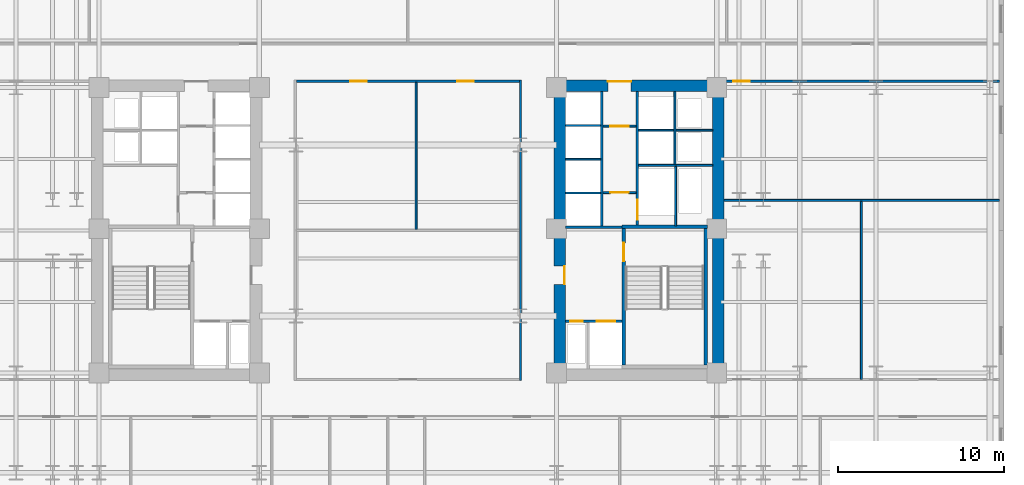
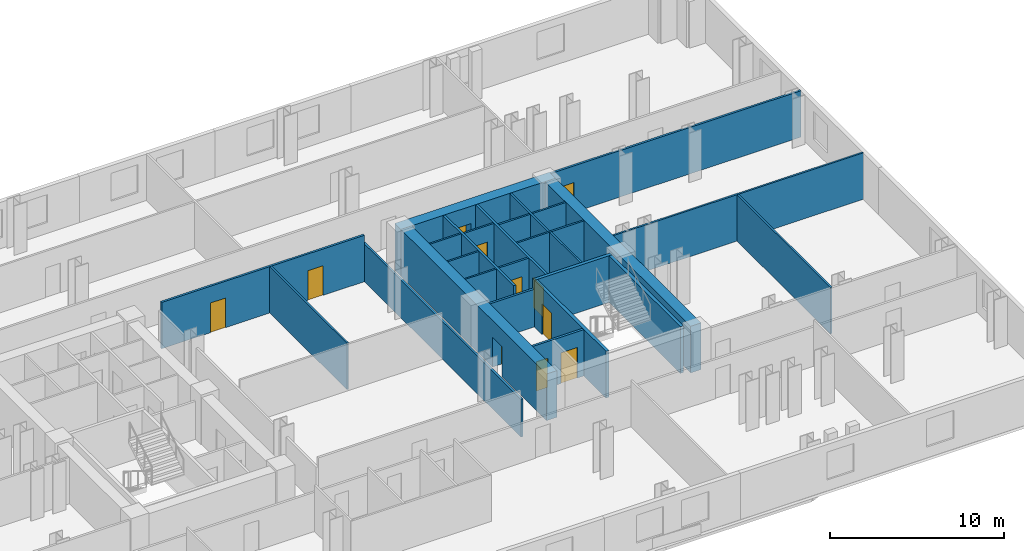
# One storey, part 6 of 10: 26 walls, 11 doors, 11 openings.
"""IFC4 building model written with IfcOpenShell, lengths in metres."""

from ifc_helpers import new_model, si_unit, direction, frame, frame_2d, origin, place, context, subcontext, project, spatial, rectangle, extrude, material, layer, layer_set, type_object, element, fill, save


model = new_model("IFC4")

# Units and contexts
model_context = context("Model", 3, precision=1e-05, world=origin(), true_north=direction((0.0, 1.0)))
body_context = subcontext(model_context, "Body", "Model", "MODEL_VIEW")
ifc_project = project(units=[si_unit("LENGTHUNIT", "METRE"), si_unit("AREAUNIT", "SQUARE_METRE"), si_unit("VOLUMEUNIT", "CUBIC_METRE"), si_unit("PLANEANGLEUNIT", "RADIAN"), si_unit("MASSUNIT", "GRAM", prefix="KILO")], contexts=[model_context])

# Site, building, storey
site_placement = place(None, origin())
site = spatial("IfcSite", under=ifc_project, at=site_placement, CompositionType="ELEMENT")
building_placement = place(site_placement, origin())
building = spatial("IfcBuilding", under=site, at=building_placement, Name="Velakula Bourse", CompositionType="ELEMENT")
storey_placement = place(building_placement, frame((0.0, 0.0, 51.89990234375)))
storey = spatial("IfcBuildingStorey", under=building, at=storey_placement, Name="L13", CompositionType="ELEMENT", Elevation=51.89990234375)

# Wall, opening, door
ifc_material_1 = material(Name="Concrete M50 (fck 50 MPa)", Category="concrete")
ifc_layer_1 = layer(ifc_material_1, 0.2099609375, Name="Concrete M50 (fck 50 MPa)", Category="concrete")
ifc_layer_set_1 = layer_set([ifc_layer_1], Name="Concrete M50 (fck 50 MPa)")
wall_type_1 = type_object("IfcWallType", Name="WL-CORE-210", PredefinedType="SHEAR", material=ifc_layer_set_1)
wall_1_placement = place(storey_placement, frame((12.9951171875, -8.10009765625, 0.0), z_axis=(0.0, 0.0, 1.0), x_axis=(0.0, 1.0, 0.0)))
wall_1 = element("IfcWall", 1, at=wall_1_placement, inside=storey, type_object=wall_type_1, Name="L13 Core E Stairwell Shear Wall IN", PredefinedType="SHEAR", context=body_context, shape_type="SweptSolid", body=[
    extrude(rectangle(XDim=8.2001953125, YDim=0.2099609375, at=frame_2d((4.10009765625, 0.0))), origin(), (0.0, 0.0, 1.0), 3.27001953125),
])
opening_1_placement = place(wall_1_placement, frame((6.25, 0.0, 0.0)))
opening_1 = element("IfcOpeningElement", 2, at=opening_1_placement, cuts=wall_1, Name="Opening D-STE1", PredefinedType="OPENING", context=body_context, shape_type="SweptSolid", body=[
    extrude(rectangle(XDim=1.10009765625, YDim=2.14990234375, at=frame_2d((0.550048828125, 1.074951171875))), frame((0.0, 0.114990234375, 0.0), z_axis=(0.0, -1.0, 0.0), x_axis=(1.0, 0.0, 0.0)), (0.0, 0.0, 1.0), 0.22998046875),
])
ifc_material_2 = material(Name="Galvanised painted hollow steel fire door", Category="steel")
door_type_1 = type_object("IfcDoorType", Name="DR-FD120-1100x2150", OperationType="NOTDEFINED", PredefinedType="DOOR", material=ifc_material_2)
door_1_placement = place(opening_1_placement, origin())
door_1 = element("IfcDoor", 3, at=door_1_placement, inside=storey, type_object=door_type_1, Name="L13 Stair ST-E1 Fire Door", OperationType="SINGLE_SWING_RIGHT", OverallHeight=2.14990234375, OverallWidth=1.10009765625, PredefinedType="DOOR", context=body_context, shape_type="SweptSolid", body=[
    extrude(rectangle(XDim=1.10009765625, YDim=2.14990234375, at=frame_2d((0.550048828125, 1.074951171875))), frame((0.0, 0.02490234375, 0.0), z_axis=(0.0, -1.0, 0.0), x_axis=(1.0, 0.0, 0.0)), (0.0, 0.0, 1.0), 0.050048828125),
])
fill(opening_1, door_1)

# Walls
wall_2_placement = place(storey_placement, frame((17.925048828125, -8.10009765625, 0.0), z_axis=(0.0, 0.0, 1.0), x_axis=(0.0, 1.0, 0.0)))
element("IfcWall", 4, at=wall_2_placement, inside=storey, type_object=wall_type_1, Name="L13 Core E Stairwell Shear Wall OUT", PredefinedType="SHEAR", context=body_context, shape_type="SweptSolid", body=[
    extrude(rectangle(XDim=8.2001953125, YDim=0.2099609375, at=frame_2d((4.10009765625, 0.0))), origin(), (0.0, 0.0, 1.0), 3.27001953125),
])
wall_3_placement = place(storey_placement, frame((18.030029296875, 0.205078125, 0.0), z_axis=(0.0, 0.0, 1.0), x_axis=(-1.0, 0.0, 0.0)))
element("IfcWall", 5, at=wall_3_placement, inside=storey, type_object=wall_type_1, Name="L13 Core E Stairwell Shear Wall N", PredefinedType="SHEAR", context=body_context, shape_type="SweptSolid", body=[
    extrude(rectangle(XDim=5.14013671875, YDim=0.2099609375, at=frame_2d((2.570068359375, 0.0))), origin(), (0.0, 0.0, 1.0), 3.27001953125),
])

# Wall, opening, door
ifc_material_3 = material(Name="Concrete M70 (fck 70 MPa)", Category="concrete")
ifc_layer_2 = layer(ifc_material_3, 0.699951171875, Name="Concrete M70 (fck 70 MPa)", Category="concrete")
ifc_layer_set_2 = layer_set([ifc_layer_2], Name="Concrete M70 (fck 70 MPa)")
wall_type_2 = type_object("IfcWallType", Name="WL-CORE-700", PredefinedType="SHEAR", material=ifc_layer_set_2)
wall_4_placement = place(storey_placement, frame((8.800048828125, 8.699951171875, 0.0), z_axis=(0.0, 0.0, 1.0), x_axis=(1.0, 0.0, 0.0)))
wall_4 = element("IfcWall", 6, at=wall_4_placement, inside=storey, type_object=wall_type_2, Name="L13 Core E Shear Wall N", PredefinedType="SHEAR", context=body_context, shape_type="SweptSolid", body=[
    extrude(rectangle(XDim=10.25, YDim=0.699951171875, at=frame_2d((5.125, 0.0))), origin(), (0.0, 0.0, 1.0), 3.27001953125),
])
opening_2_placement = place(wall_4_placement, frame((3.25, 0.0, 0.0)))
opening_2 = element("IfcOpeningElement", 7, at=opening_2_placement, cuts=wall_4, Name="Opening D-LLE", PredefinedType="OPENING", context=body_context, shape_type="SweptSolid", body=[
    extrude(rectangle(XDim=1.39990234375, YDim=2.050048828125, at=frame_2d((0.699951171875, 1.02490234375))), frame((0.0, 0.35986328125, 0.0), z_axis=(0.0, -1.0, 0.0), x_axis=(1.0, 0.0, 0.0)), (0.0, 0.0, 1.0), 0.719970703125),
])
ifc_material_4 = material(Name="Fire-rated hardwood flush architectural door", Category="wood")
door_type_2 = type_object("IfcDoorType", Name="DR-DBL-FD60-1400", OperationType="DOUBLE_DOOR_SINGLE_SWING", PredefinedType="DOOR", material=ifc_material_4)
door_2_placement = place(opening_2_placement, origin())
door_2 = element("IfcDoor", 8, at=door_2_placement, inside=storey, type_object=door_type_2, Name="L13 Core E Lift Lobby Corridor Double Door", OperationType="DOUBLE_DOOR_SINGLE_SWING", OverallHeight=2.050048828125, OverallWidth=1.39990234375, PredefinedType="DOOR", context=body_context, shape_type="SweptSolid", body=[
    extrude(rectangle(XDim=1.39990234375, YDim=2.050048828125, at=frame_2d((0.699951171875, 1.02490234375))), frame((0.0, 0.294921875, 0.0), z_axis=(0.0, -1.0, 0.0), x_axis=(1.0, 0.0, 0.0)), (0.0, 0.0, 1.0), 0.050048828125),
])
fill(opening_2, door_2)

wall_5_placement = place(storey_placement, frame((9.14990234375, -8.35009765625, 0.0), z_axis=(0.0, 0.0, 1.0), x_axis=(0.0, 1.0, 0.0)))
wall_5 = element("IfcWall", 9, at=wall_5_placement, inside=storey, type_object=wall_type_2, Name="L13 Core E Shear Wall W", PredefinedType="SHEAR", context=body_context, shape_type="SweptSolid", body=[
    extrude(rectangle(XDim=16.7001953125, YDim=0.699951171875, at=frame_2d((8.35009765625, 0.0))), origin(), (0.0, 0.0, 1.0), 3.27001953125),
])
opening_3_placement = place(wall_5_placement, frame((5.10009765625, 0.0, 0.0)))
opening_3 = element("IfcOpeningElement", 10, at=opening_3_placement, cuts=wall_5, Name="Opening D-FLE", PredefinedType="OPENING", context=body_context, shape_type="SweptSolid", body=[
    extrude(rectangle(XDim=1.10009765625, YDim=2.080078125, at=frame_2d((0.550048828125, 1.0400390625))), frame((0.0, 0.35986328125, 0.0), z_axis=(0.0, -1.0, 0.0), x_axis=(1.0, 0.0, 0.0)), (0.0, 0.0, 1.0), 0.719970703125),
])
door_type_3 = type_object("IfcDoorType", Name="DR-FD120-1100", OperationType="NOTDEFINED", PredefinedType="DOOR", material=ifc_material_2)
door_3_placement = place(opening_3_placement, origin())
door_3 = element("IfcDoor", 11, at=door_3_placement, inside=storey, type_object=door_type_3, Name="L13 Firefighting Lobby E Corridor Fire Door", OperationType="SINGLE_SWING_RIGHT", OverallHeight=2.080078125, OverallWidth=1.10009765625, PredefinedType="DOOR", context=body_context, shape_type="SweptSolid", body=[
    extrude(rectangle(XDim=1.10009765625, YDim=2.080078125, at=frame_2d((0.550048828125, 1.0400390625))), frame((0.0, -0.2548828125, 0.0), z_axis=(0.0, -1.0, 0.0), x_axis=(1.0, 0.0, 0.0)), (0.0, 0.0, 1.0), 0.050048828125),
])
fill(opening_3, door_3)

# Wall
wall_6_placement = place(storey_placement, frame((18.699951171875, -8.35009765625, 0.0), z_axis=(0.0, 0.0, 1.0), x_axis=(0.0, 1.0, 0.0)))
element("IfcWall", 12, at=wall_6_placement, inside=storey, type_object=wall_type_2, Name="L13 Core E Shear Wall E", PredefinedType="SHEAR", context=body_context, shape_type="SweptSolid", body=[
    extrude(rectangle(XDim=16.7001953125, YDim=0.699951171875, at=frame_2d((8.35009765625, 0.0))), origin(), (0.0, 0.0, 1.0), 3.27001953125),
])

# Wall, opening, door
ifc_material_5 = material(Name="Fire-rated double-layer gypsum drywall partition", Category="gypsum")
ifc_layer_3 = layer(ifc_material_5, 0.1201171875, Name="Fire-rated double-layer gypsum drywall partition", Category="gypsum")
ifc_layer_set_3 = layer_set([ifc_layer_3], Name="Fire-rated double-layer gypsum drywall partition")
wall_type_3 = type_object("IfcWallType", Name="WL-PART-120", PredefinedType="STANDARD", material=ifc_layer_set_3)
wall_7_placement = place(storey_placement, frame((11.75, 2.280029296875, 0.0), z_axis=(0.0, 0.0, 1.0), x_axis=(1.0, 0.0, 0.0)))
wall_7 = element("IfcWall", 13, at=wall_7_placement, inside=storey, type_object=wall_type_3, Name="L13 Interior Partition WL-CRE-L13-LL-K3A", PredefinedType="STANDARD", context=body_context, shape_type="SweptSolid", body=[
    extrude(rectangle(XDim=2.0, YDim=0.1201171875, at=frame_2d((1.0, 0.0))), origin(), (0.0, 0.0, 1.0), 3.25),
])
opening_4_placement = place(wall_7_placement, frame((0.449951171875, 0.0, 0.0)))
opening_4 = element("IfcOpeningElement", 14, at=opening_4_placement, cuts=wall_7, Name="Opening D-LK3", PredefinedType="OPENING", context=body_context, shape_type="SweptSolid", body=[
    extrude(rectangle(XDim=1.10009765625, YDim=2.10009765625, at=frame_2d((0.550048828125, 1.050048828125))), frame((0.0, 0.070068359375, 0.0), z_axis=(0.0, -1.0, 0.0), x_axis=(1.0, 0.0, 0.0)), (0.0, 0.0, 1.0), 0.14013671875),
])
door_type_4 = type_object("IfcDoorType", Name="DR-FD60-1100x2100", OperationType="NOTDEFINED", PredefinedType="DOOR", material=ifc_material_4)
door_4_placement = place(opening_4_placement, origin())
door_4 = element("IfcDoor", 15, at=door_4_placement, inside=storey, type_object=door_type_4, Name="L13 Core E Lift Lobby Vestibule Door A", OperationType="SINGLE_SWING_RIGHT", OverallHeight=2.10009765625, OverallWidth=1.10009765625, PredefinedType="DOOR", context=body_context, shape_type="SweptSolid", body=[
    extrude(rectangle(XDim=1.10009765625, YDim=2.10009765625, at=frame_2d((0.550048828125, 1.050048828125))), frame((0.0, 0.02490234375, 0.0), z_axis=(0.0, -1.0, 0.0), x_axis=(1.0, 0.0, 0.0)), (0.0, 0.0, 1.0), 0.050048828125),
])
fill(opening_4, door_4)

wall_8_placement = place(storey_placement, frame((11.75, 6.280029296875, 0.0), z_axis=(0.0, 0.0, 1.0), x_axis=(1.0, 0.0, 0.0)))
wall_8 = element("IfcWall", 16, at=wall_8_placement, inside=storey, type_object=wall_type_3, Name="L13 Interior Partition WL-CRE-L13-LL-K3B", PredefinedType="STANDARD", context=body_context, shape_type="SweptSolid", body=[
    extrude(rectangle(XDim=2.0, YDim=0.1201171875, at=frame_2d((1.0, 0.0))), origin(), (0.0, 0.0, 1.0), 3.25),
])
opening_5_placement = place(wall_8_placement, frame((0.449951171875, 0.0, 0.0)))
opening_5 = element("IfcOpeningElement", 17, at=opening_5_placement, cuts=wall_8, Name="Opening D-LK3", PredefinedType="OPENING", context=body_context, shape_type="SweptSolid", body=[
    extrude(rectangle(XDim=1.10009765625, YDim=2.10009765625, at=frame_2d((0.550048828125, 1.050048828125))), frame((0.0, 0.070068359375, 0.0), z_axis=(0.0, -1.0, 0.0), x_axis=(1.0, 0.0, 0.0)), (0.0, 0.0, 1.0), 0.14013671875),
])
door_5_placement = place(opening_5_placement, origin())
door_5 = element("IfcDoor", 18, at=door_5_placement, inside=storey, type_object=door_type_4, Name="L13 Core E Lift Lobby Vestibule Door B", OperationType="SINGLE_SWING_RIGHT", OverallHeight=2.10009765625, OverallWidth=1.10009765625, PredefinedType="DOOR", context=body_context, shape_type="SweptSolid", body=[
    extrude(rectangle(XDim=1.10009765625, YDim=2.10009765625, at=frame_2d((0.550048828125, 1.050048828125))), frame((0.0, 0.02490234375, 0.0), z_axis=(0.0, -1.0, 0.0), x_axis=(1.0, 0.0, 0.0)), (0.0, 0.0, 1.0), 0.050048828125),
])
fill(opening_5, door_5)

# Walls
for number, where, z_axis, x_axis, name in (
    (19, (9.5, 2.2548828125, 0.0), (0.0, 0.0, 1.0), (1.0, 0.0, 0.0), "L13 Interior Partition WL-CRE-L13-BDIV-0"),
    (20, (9.5, 4.284912109375, 0.0), (0.0, 0.0, 1.0), (1.0, 0.0, 0.0), "L13 Interior Partition WL-CRE-L13-BDIV-1"),
    (21, (9.5, 6.31494140625, 0.0), (0.0, 0.0, 1.0), (1.0, 0.0, 0.0), "L13 Interior Partition WL-CRE-L13-BDIV-2"),
):
    element("IfcWall", number, at=place(storey_placement, frame(where, z_axis=z_axis, x_axis=x_axis)), inside=storey, type_object=wall_type_3, Name=name, PredefinedType="STANDARD", context=body_context, shape_type="SweptSolid", body=[
        extrude(rectangle(XDim=2.10009765625, YDim=0.110107421875, at=frame_2d((1.050048828125, 0.0))), origin(), (0.0, 0.0, 1.0), 3.25),
    ])
wall_9_placement = place(storey_placement, frame((13.89990234375, 3.919921875, 0.0), z_axis=(0.0, 0.0, 1.0), x_axis=(1.0, 0.0, 0.0)))
element("IfcWall", 22, at=wall_9_placement, inside=storey, type_object=wall_type_3, Name="L13 Interior Partition WL-CRE-L13-HI-S", PredefinedType="STANDARD", context=body_context, shape_type="SweptSolid", body=[
    extrude(rectangle(XDim=4.4501953125, YDim=0.1201171875, at=frame_2d((2.22509765625, 0.0))), origin(), (0.0, 0.0, 1.0), 3.25),
])
wall_10_placement = place(storey_placement, frame((16.14990234375, 6.030029296875, 0.0), z_axis=(0.0, 0.0, 1.0), x_axis=(1.0, 0.0, 0.0)))
element("IfcWall", 23, at=wall_10_placement, inside=storey, type_object=wall_type_3, Name="L13 Interior Partition WL-CRE-L13-RIS-MID", PredefinedType="STANDARD", context=body_context, shape_type="SweptSolid", body=[
    extrude(rectangle(XDim=2.2001953125, YDim=0.1201171875, at=frame_2d((1.10009765625, 0.0))), origin(), (0.0, 0.0, 1.0), 3.25),
])
wall_11_placement = place(storey_placement, frame((16.074951171875, 3.97998046875, 0.0), z_axis=(0.0, 0.0, 1.0), x_axis=(0.0, 1.0, 0.0)))
element("IfcWall", 24, at=wall_11_placement, inside=storey, type_object=wall_type_3, Name="L13 Interior Partition WL-CRE-L13-RIS-F", PredefinedType="STANDARD", context=body_context, shape_type="SweptSolid", body=[
    extrude(rectangle(XDim=4.3701171875, YDim=0.1201171875, at=frame_2d((2.18505859375, 0.0))), origin(), (0.0, 0.0, 1.0), 3.25),
])
wall_12_placement = place(storey_placement, frame((13.89990234375, 6.030029296875, 0.0), z_axis=(0.0, 0.0, 1.0), x_axis=(1.0, 0.0, 0.0)))
element("IfcWall", 25, at=wall_12_placement, inside=storey, type_object=wall_type_3, Name="L13 Interior Partition WL-CRE-L13-HI-DIV", PredefinedType="STANDARD", context=body_context, shape_type="SweptSolid", body=[
    extrude(rectangle(XDim=2.10009765625, YDim=0.1201171875, at=frame_2d((1.050048828125, 0.0))), origin(), (0.0, 0.0, 1.0), 3.25),
])
wall_13_placement = place(storey_placement, frame((16.125, 0.27001953125, 0.0), z_axis=(0.0, 0.0, 1.0), x_axis=(0.0, 1.0, 0.0)))
element("IfcWall", 26, at=wall_13_placement, inside=storey, type_object=wall_type_3, Name="L13 Interior Partition WL-CRE-L13-SVL-E", PredefinedType="STANDARD", context=body_context, shape_type="SweptSolid", body=[
    extrude(rectangle(XDim=3.590087890625, YDim=0.1201171875, at=frame_2d((1.794921875, 0.0))), origin(), (0.0, 0.0, 1.0), 3.25),
])
wall_14_placement = place(storey_placement, frame((19.050048828125, 1.800048828125, 0.0), z_axis=(0.0, 0.0, 1.0), x_axis=(1.0, 0.0, 0.0)))
element("IfcWall", 27, at=wall_14_placement, inside=storey, type_object=wall_type_3, Name="L13 Interior Partition WL-INT-L13-E-H", PredefinedType="STANDARD", context=body_context, shape_type="SweptSolid", body=[
    extrude(rectangle(XDim=16.570068359375, YDim=0.1201171875, at=frame_2d((8.28515625, 0.0))), origin(), (0.0, 0.0, 1.0), 3.25),
])
wall_15_placement = place(storey_placement, frame((27.304931640625, -8.97998046875, 0.0), z_axis=(0.0, 0.0, 1.0), x_axis=(0.0, 1.0, 0.0)))
element("IfcWall", 28, at=wall_15_placement, inside=storey, type_object=wall_type_3, Name="L13 Interior Partition WL-INT-L13-E-VS", PredefinedType="STANDARD", context=body_context, shape_type="SweptSolid", body=[
    extrude(rectangle(XDim=10.719970703125, YDim=0.1201171875, at=frame_2d((5.35986328125, 0.0))), origin(), (0.0, 0.0, 1.0), 3.25),
])

# Wall, opening, door
ifc_layer_4 = layer(ifc_material_5, 0.139892578125, Name="Fire-rated double-layer gypsum drywall partition", Category="gypsum")
ifc_layer_set_4 = layer_set([ifc_layer_4], Name="Fire-rated double-layer gypsum drywall partition")
wall_type_4 = type_object("IfcWallType", Name="WL-PART-140", PredefinedType="STANDARD", material=ifc_layer_set_4)
wall_16_placement = place(storey_placement, frame((19.050048828125, 8.97998046875, 0.0), z_axis=(0.0, 0.0, 1.0), x_axis=(1.0, 0.0, 0.0)))
wall_16 = element("IfcWall", 29, at=wall_16_placement, inside=storey, type_object=wall_type_4, Name="L13 Interior Partition WL-INT-L13-E-NC", PredefinedType="STANDARD", context=body_context, shape_type="SweptSolid", body=[
    extrude(rectangle(XDim=16.570068359375, YDim=0.139892578125, at=frame_2d((8.28515625, 0.0))), origin(), (0.0, 0.0, 1.0), 3.25),
])
opening_6_placement = place(wall_16_placement, frame((0.53955078125, 0.0, 0.0)))
opening_6 = element("IfcOpeningElement", 30, at=opening_6_placement, cuts=wall_16, Name="Opening D-OF1", PredefinedType="OPENING", context=body_context, shape_type="SweptSolid", body=[
    extrude(rectangle(XDim=1.0, YDim=2.080078125, at=frame_2d((0.5, 1.0400390625))), frame((0.0, 0.079833984375, 0.0), z_axis=(0.0, -1.0, 0.0), x_axis=(1.0, 0.0, 0.0)), (0.0, 0.0, 1.0), 0.159912109375),
])
door_type_5 = type_object("IfcDoorType", Name="DR-OFF-1000", OperationType="NOTDEFINED", PredefinedType="DOOR", material=ifc_material_4)
door_6_placement = place(opening_6_placement, origin())
door_6 = element("IfcDoor", 31, at=door_6_placement, inside=storey, type_object=door_type_5, Name="L13 Asset Allocation Office Door", OperationType="SINGLE_SWING_LEFT", OverallHeight=2.080078125, OverallWidth=1.0, PredefinedType="DOOR", context=body_context, shape_type="SweptSolid", body=[
    extrude(rectangle(XDim=1.0, YDim=2.080078125, at=frame_2d((0.5, 1.0400390625))), frame((0.0, 0.02490234375, 0.0), z_axis=(0.0, -1.0, 0.0), x_axis=(1.0, 0.0, 0.0)), (0.0, 0.0, 1.0), 0.050048828125),
])
fill(opening_6, door_6)

# Wall
wall_17_placement = place(storey_placement, frame((6.780029296875, -9.050048828125, 0.0), z_axis=(0.0, 0.0, 1.0), x_axis=(0.0, 1.0, 0.0)))
element("IfcWall", 32, at=wall_17_placement, inside=storey, type_object=wall_type_4, Name="L13 Interior Partition WL-INT-L13-MID-E", PredefinedType="STANDARD", context=body_context, shape_type="SweptSolid", body=[
    extrude(rectangle(XDim=18.10009765625, YDim=0.139892578125, at=frame_2d((9.050048828125, 0.0))), origin(), (0.0, 0.0, 1.0), 2.64501953125),
])

# Wall, openings, doors
wall_18_placement = place(storey_placement, frame((-6.7099609375, 8.97998046875, 0.0), z_axis=(0.0, 0.0, 1.0), x_axis=(1.0, 0.0, 0.0)))
wall_18 = element("IfcWall", 33, at=wall_18_placement, inside=storey, type_object=wall_type_4, Name="L13 Interior Partition WL-INT-L13-MID-N", PredefinedType="STANDARD", context=body_context, shape_type="SweptSolid", body=[
    extrude(rectangle(XDim=13.419921875, YDim=0.139892578125, at=frame_2d((6.7099609375, 0.0))), origin(), (0.0, 0.0, 1.0), 3.25),
])
opening_7_placement = place(wall_18_placement, frame((3.23095703125, 0.0, 0.0)))
opening_7 = element("IfcOpeningElement", 34, at=opening_7_placement, cuts=wall_18, Name="Opening D-OF1", PredefinedType="OPENING", context=body_context, shape_type="SweptSolid", body=[
    extrude(rectangle(XDim=1.0, YDim=2.080078125, at=frame_2d((0.5, 1.0400390625))), frame((0.0, 0.079833984375, 0.0), z_axis=(0.0, -1.0, 0.0), x_axis=(1.0, 0.0, 0.0)), (0.0, 0.0, 1.0), 0.159912109375),
])
opening_8_placement = place(wall_18_placement, frame((9.68896484375, 0.0, 0.0)))
opening_8 = element("IfcOpeningElement", 35, at=opening_8_placement, cuts=wall_18, Name="Opening D-OF1", PredefinedType="OPENING", context=body_context, shape_type="SweptSolid", body=[
    extrude(rectangle(XDim=1.0, YDim=2.080078125, at=frame_2d((0.5, 1.0400390625))), frame((0.0, 0.079833984375, 0.0), z_axis=(0.0, -1.0, 0.0), x_axis=(1.0, 0.0, 0.0)), (0.0, 0.0, 1.0), 0.159912109375),
])
door_7_placement = place(opening_7_placement, origin())
door_7 = element("IfcDoor", 36, at=door_7_placement, inside=storey, type_object=door_type_5, Name="L13 Risk Committee Room Door", OperationType="SINGLE_SWING_LEFT", OverallHeight=2.080078125, OverallWidth=1.0, PredefinedType="DOOR", context=body_context, shape_type="SweptSolid", body=[
    extrude(rectangle(XDim=1.0, YDim=2.080078125, at=frame_2d((0.5, 1.0400390625))), frame((0.0, 0.02490234375, 0.0), z_axis=(0.0, -1.0, 0.0), x_axis=(1.0, 0.0, 0.0)), (0.0, 0.0, 1.0), 0.050048828125),
])
fill(opening_7, door_7)
door_8_placement = place(opening_8_placement, origin())
door_8 = element("IfcDoor", 37, at=door_8_placement, inside=storey, type_object=door_type_5, Name="L13 Surveillance Review Office Door", OperationType="SINGLE_SWING_RIGHT", OverallHeight=2.080078125, OverallWidth=1.0, PredefinedType="DOOR", context=body_context, shape_type="SweptSolid", body=[
    extrude(rectangle(XDim=1.0, YDim=2.080078125, at=frame_2d((0.5, 1.0400390625))), frame((0.0, 0.02490234375, 0.0), z_axis=(0.0, -1.0, 0.0), x_axis=(1.0, 0.0, 0.0)), (0.0, 0.0, 1.0), 0.050048828125),
])
fill(opening_8, door_8)

# Wall
wall_19_placement = place(storey_placement, frame((0.5, 0.06005859375, 0.0), z_axis=(0.0, 0.0, 1.0), x_axis=(0.0, 1.0, 0.0)))
element("IfcWall", 38, at=wall_19_placement, inside=storey, type_object=wall_type_4, Name="L13 Interior Partition WL-INT-L13-MD3V", PredefinedType="STANDARD", context=body_context, shape_type="SweptSolid", body=[
    extrude(rectangle(XDim=8.849853515625, YDim=0.1201171875, at=frame_2d((4.4248046875, 0.0))), origin(), (0.0, 0.0, 1.0), 3.25),
])

# Wall, openings, doors
ifc_material_6 = material(Name="Autoclaved aerated concrete blockwork masonry", Category="masonry")
ifc_layer_5 = layer(ifc_material_6, 0.14990234375, Name="Autoclaved aerated concrete blockwork masonry", Category="masonry")
ifc_layer_set_5 = layer_set([ifc_layer_5], Name="Autoclaved aerated concrete blockwork masonry")
wall_type_5 = type_object("IfcWallType", Name="WL-SHAFT-150", PredefinedType="STANDARD", material=ifc_layer_set_5)
wall_20_placement = place(storey_placement, frame((9.5, -5.47509765625, 0.0), z_axis=(0.0, 0.0, 1.0), x_axis=(1.0, 0.0, 0.0)))
wall_20 = element("IfcWall", 39, at=wall_20_placement, inside=storey, type_object=wall_type_5, Name="L13 Interior Partition WL-CRE-L13-FFL-N", PredefinedType="STANDARD", context=body_context, shape_type="SweptSolid", body=[
    extrude(rectangle(XDim=3.39501953125, YDim=0.14990234375, at=frame_2d((1.697509765625, 0.0))), origin(), (0.0, 0.0, 1.0), 3.25),
])
opening_9_placement = place(wall_20_placement, frame((1.875, 0.0, 0.0)))
opening_9 = element("IfcOpeningElement", 40, at=opening_9_placement, cuts=wall_20, Name="Opening LD-FFL-2", PredefinedType="OPENING", context=body_context, shape_type="SweptSolid", body=[
    extrude(rectangle(XDim=1.10009765625, YDim=2.14990234375, at=frame_2d((0.550048828125, 1.074951171875))), frame((0.0, 0.0849609375, 0.0), z_axis=(0.0, -1.0, 0.0), x_axis=(1.0, 0.0, 0.0)), (0.0, 0.0, 1.0), 0.169921875),
])
opening_10_placement = place(wall_20_placement, frame((0.27490234375, 0.0, 0.0)))
opening_10 = element("IfcOpeningElement", 41, at=opening_10_placement, cuts=wall_20, Name="Opening D-RS1", PredefinedType="OPENING", context=body_context, shape_type="SweptSolid", body=[
    extrude(rectangle(XDim=0.75, YDim=2.050048828125, at=frame_2d((0.375, 1.02490234375))), frame((0.0, 0.0849609375, 0.0), z_axis=(0.0, -1.0, 0.0), x_axis=(1.0, 0.0, 0.0)), (0.0, 0.0, 1.0), 0.169921875),
])
door_type_6 = type_object("IfcDoorType", Name="DR-RISER-800", OperationType="NOTDEFINED", PredefinedType="DOOR", material=ifc_material_2)
door_9_placement = place(opening_10_placement, origin())
door_9 = element("IfcDoor", 42, at=door_9_placement, inside=storey, type_object=door_type_6, Name="L13 Fire Riser Access Door", OperationType="SINGLE_SWING_LEFT", OverallHeight=2.050048828125, OverallWidth=0.75, PredefinedType="DOOR", context=body_context, shape_type="SweptSolid", body=[
    extrude(rectangle(XDim=0.75, YDim=2.050048828125, at=frame_2d((0.375, 1.02490234375))), frame((0.0, 0.02490234375, 0.0), z_axis=(0.0, -1.0, 0.0), x_axis=(1.0, 0.0, 0.0)), (0.0, 0.0, 1.0), 0.050048828125),
])
fill(opening_10, door_9)
ifc_material_7 = material(Name="Brushed grade 316 stainless steel", Category="steel")
door_type_7 = type_object("IfcDoorType", Name="DR-SLIDE-FFL-1100", OperationType="DOUBLE_DOOR_SLIDING", PredefinedType="DOOR", material=ifc_material_7)
door_10_placement = place(opening_9_placement, origin())
door_10 = element("IfcDoor", 43, at=door_10_placement, inside=storey, type_object=door_type_7, Name="L13 Firefighting Lift FFL-2 Sliding Landing Door", OperationType="DOUBLE_DOOR_SLIDING", OverallHeight=2.14990234375, OverallWidth=1.10009765625, PredefinedType="DOOR", context=body_context, shape_type="SweptSolid", body=[
    extrude(rectangle(XDim=1.10009765625, YDim=2.14990234375, at=frame_2d((0.550048828125, 1.074951171875))), frame((0.0, 0.02490234375, 0.0), z_axis=(0.0, -1.0, 0.0), x_axis=(1.0, 0.0, 0.0)), (0.0, 0.0, 1.0), 0.050048828125),
])
fill(opening_9, door_10)

# Walls
wall_21_placement = place(storey_placement, frame((9.5, 0.18994140625, 0.0), z_axis=(0.0, 0.0, 1.0), x_axis=(1.0, 0.0, 0.0)))
element("IfcWall", 44, at=wall_21_placement, inside=storey, type_object=wall_type_5, Name="L13 Interior Partition WL-CRE-L13-FF-TOP", PredefinedType="STANDARD", context=body_context, shape_type="SweptSolid", body=[
    extrude(rectangle(XDim=3.389892578125, YDim=0.14990234375, at=frame_2d((1.69482421875, 0.0))), origin(), (0.0, 0.0, 1.0), 2.64501953125),
])
wall_22_placement = place(storey_placement, frame((11.675048828125, 0.27001953125, 0.0), z_axis=(0.0, 0.0, 1.0), x_axis=(0.0, 1.0, 0.0)))
element("IfcWall", 45, at=wall_22_placement, inside=storey, type_object=wall_type_5, Name="L13 Interior Partition WL-CRE-L13-BANK-F", PredefinedType="STANDARD", context=body_context, shape_type="SweptSolid", body=[
    extrude(rectangle(XDim=8.080078125, YDim=0.14990234375, at=frame_2d((4.0400390625, 0.0))), origin(), (0.0, 0.0, 1.0), 3.25),
])

# Wall, opening, door
wall_23_placement = place(storey_placement, frame((13.824951171875, 0.27001953125, 0.0), z_axis=(0.0, 0.0, 1.0), x_axis=(0.0, 1.0, 0.0)))
wall_23 = element("IfcWall", 46, at=wall_23_placement, inside=storey, type_object=wall_type_5, Name="L13 Interior Partition WL-CRE-L13-OUT-F", PredefinedType="STANDARD", context=body_context, shape_type="SweptSolid", body=[
    extrude(rectangle(XDim=8.080078125, YDim=0.14990234375, at=frame_2d((4.0400390625, 0.0))), origin(), (0.0, 0.0, 1.0), 3.25),
])
opening_11_placement = place(wall_23_placement, frame((0.3798828125, 0.0, 0.0)))
opening_11 = element("IfcOpeningElement", 47, at=opening_11_placement, cuts=wall_23, Name="Opening LD-SVL1", PredefinedType="OPENING", context=body_context, shape_type="SweptSolid", body=[
    extrude(rectangle(XDim=1.199951171875, YDim=2.10009765625, at=frame_2d((0.60009765625, 1.050048828125))), frame((0.0, 0.0849609375, 0.0), z_axis=(0.0, -1.0, 0.0), x_axis=(1.0, 0.0, 0.0)), (0.0, 0.0, 1.0), 0.169921875),
])
door_type_8 = type_object("IfcDoorType", Name="DR-SLIDE-LD-1200", OperationType="DOUBLE_DOOR_SLIDING", PredefinedType="DOOR", material=ifc_material_7)
door_11_placement = place(opening_11_placement, origin())
door_11 = element("IfcDoor", 48, at=door_11_placement, inside=storey, type_object=door_type_8, Name="L13 Service Lift SVL-1 Sliding Landing Door", OperationType="DOUBLE_DOOR_SLIDING", OverallHeight=2.10009765625, OverallWidth=1.199951171875, PredefinedType="DOOR", context=body_context, shape_type="SweptSolid", body=[
    extrude(rectangle(XDim=1.199951171875, YDim=2.10009765625, at=frame_2d((0.60009765625, 1.050048828125))), frame((0.0, 0.02490234375, 0.0), z_axis=(0.0, -1.0, 0.0), x_axis=(1.0, 0.0, 0.0)), (0.0, 0.0, 1.0), 0.050048828125),
])
fill(opening_11, door_11)

save(model, "model.ifc")
